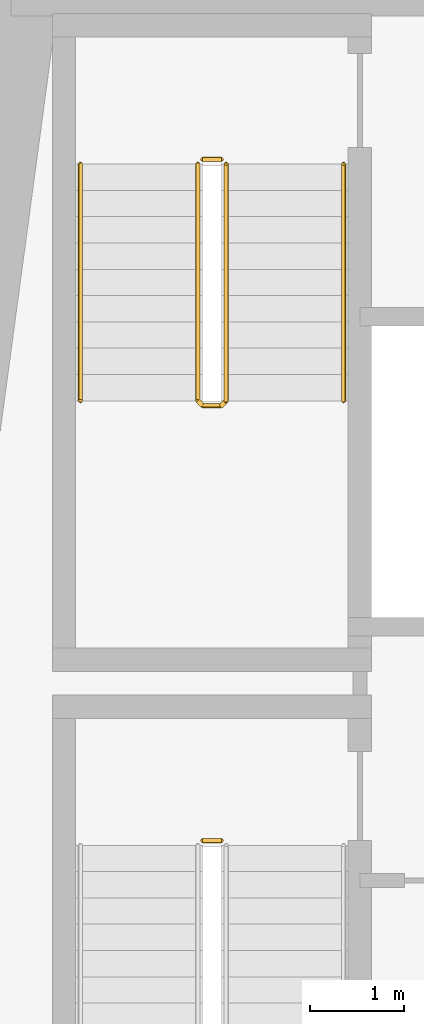
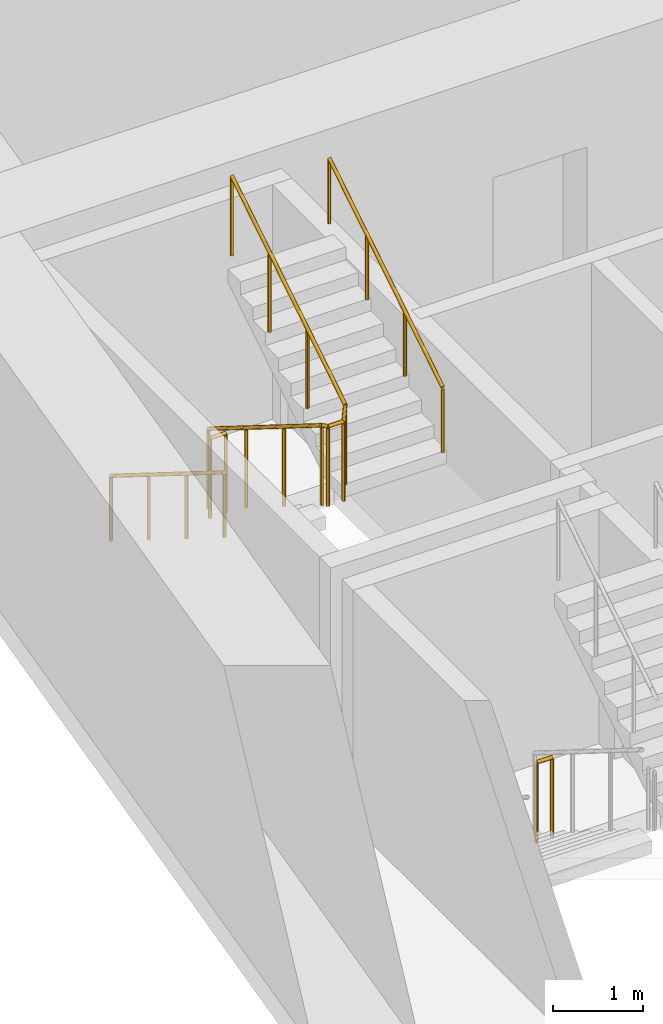
# One storey, part 9 of 12: 5 railings.
"""IFC4 building model written with IfcOpenShell, lengths in metres."""

from ifc_helpers import new_model, si_unit, direction, frame, origin, origin_2d, place, context, subcontext, project, spatial, circle, extrude, material, type_object, element, save


model = new_model("IFC4")

# Units and contexts
model_context = context("Model", 3, precision=1e-05, world=origin(), true_north=direction((0.0, 1.0)))
body_context = subcontext(model_context, "Body", "Model", "MODEL_VIEW")
ifc_project = project(units=[si_unit("LENGTHUNIT", "METRE"), si_unit("AREAUNIT", "SQUARE_METRE"), si_unit("VOLUMEUNIT", "CUBIC_METRE"), si_unit("PLANEANGLEUNIT", "RADIAN"), si_unit("MASSUNIT", "GRAM", prefix="KILO")], contexts=[model_context])

# Site, building, storey
site_placement = place(None, origin())
site = spatial("IfcSite", under=ifc_project, at=site_placement, CompositionType="ELEMENT")
building_placement = place(site_placement, origin())
building = spatial("IfcBuilding", under=site, at=building_placement, Name="Candeia Pilgrim Tower and Theatre", CompositionType="ELEMENT")
storey_placement = place(building_placement, frame((0.0, 0.0, 49.5)))
storey = spatial("IfcBuildingStorey", under=building, at=storey_placement, Name="L09", CompositionType="ELEMENT", Elevation=49.5)

# Railings
ifc_material_1 = material(Name="Stainless steel balustrade", Category="steel")
railing_type_1 = type_object("IfcRailingType", Name="RL-GUARD-1100", PredefinedType="GUARDRAIL", material=ifc_material_1)
railing_1_placement = place(storey_placement, frame((91.152099609375, 122.52490234375, 0.0)))
element("IfcRailing", 1, at=railing_1_placement, inside=storey, type_object=railing_type_1, Name="L09 ST1 stair guard 2", PredefinedType="GUARDRAIL", context=body_context, shape_type="SweptSolid", body=[
    extrude(circle(Radius=0.02392578125, at=origin_2d()), frame((0.0, 0.0, 1.076171875), z_axis=(1.0, 0.0, 0.0), x_axis=(0.0, 1.0, 0.0)), (0.0, 0.0, 1.0), 0.199951171875),
    extrude(circle(Radius=0.02099609375, at=origin_2d()), origin(), (0.0, 0.0, 1.0), 1.052001953125),
    extrude(circle(Radius=0.02099609375, at=origin_2d()), frame((0.199951171875, 0.0, 0.0)), (0.0, 0.0, 1.0), 1.052001953125),
])
railing_2_placement = place(storey_placement, frame((91.10205078125, 129.72509765625, 0.175048828125)))
element("IfcRailing", 2, at=railing_2_placement, inside=storey, type_object=railing_type_1, Name="L09 ST2 stair guard 1", PredefinedType="GUARDRAIL", context=body_context, shape_type="SweptSolid", body=[
    extrude(circle(Radius=0.02392578125, at=origin_2d()), frame((0.0, 0.0, 1.076171875), z_axis=(0.0, -0.848007534815, 0.529984170421), x_axis=(1.0, 0.0, 0.0)), (0.0, 0.0, 1.0), 2.9716796875),
    extrude(circle(Radius=0.02392578125, at=origin_2d()), frame((0.0, -2.52001953125, 2.65087890625), z_axis=(0.707106781187, -0.707106781187, 0.0), x_axis=(0.707106781187, 0.707106781187, 0.0)), (0.0, 0.0, 1.0), 0.07080078125),
    extrude(circle(Radius=0.02392578125, at=origin_2d()), frame((0.050048828125, -2.570068359375, 2.65087890625), z_axis=(1.0, 0.0, 0.0), x_axis=(0.0, 1.0, 0.0)), (0.0, 0.0, 1.0), 0.199951171875),
    extrude(circle(Radius=0.02392578125, at=origin_2d()), frame((0.25, -2.570068359375, 2.65087890625), z_axis=(0.265065253269, 0.265065253269, 0.927081885822), x_axis=(-0.707106781187, 0.707106781187, 0.0)), (0.0, 0.0, 1.0), 0.188720703125),
    extrude(circle(Radius=0.02392578125, at=origin_2d()), frame((0.300048828125, -2.52001953125, 2.826171875), z_axis=(0.0, 0.848007534815, 0.529984170421), x_axis=(-1.0, 0.0, 0.0)), (0.0, 0.0, 1.0), 2.9716796875),
    extrude(circle(Radius=0.02099609375, at=origin_2d()), origin(), (0.0, 0.0, 1.0), 1.052001953125),
    extrude(circle(Radius=0.02099609375, at=origin_2d()), frame((0.0, -0.840087890625, 0.52490234375)), (0.0, 0.0, 1.0), 1.052001953125),
    extrude(circle(Radius=0.02099609375, at=origin_2d()), frame((0.0, -1.679931640625, 1.050048828125)), (0.0, 0.0, 1.0), 1.052001953125),
    extrude(circle(Radius=0.02099609375, at=origin_2d()), frame((0.0, -2.52001953125, 1.574951171875)), (0.0, 0.0, 1.0), 1.052001953125),
    extrude(circle(Radius=0.02099609375, at=origin_2d()), frame((0.050048828125, -2.570068359375, 1.574951171875)), (0.0, 0.0, 1.0), 1.052001953125),
    extrude(circle(Radius=0.02099609375, at=origin_2d()), frame((0.25, -2.570068359375, 1.574951171875)), (0.0, 0.0, 1.0), 1.052001953125),
    extrude(circle(Radius=0.02099609375, at=origin_2d()), frame((0.300048828125, -2.52001953125, 1.75)), (0.0, 0.0, 1.0), 1.052001953125),
    extrude(circle(Radius=0.02099609375, at=origin_2d()), frame((0.300048828125, -1.679931640625, 2.27490234375)), (0.0, 0.0, 1.0), 1.052001953125),
    extrude(circle(Radius=0.02099609375, at=origin_2d()), frame((0.300048828125, -0.840087890625, 2.800048828125)), (0.0, 0.0, 1.0), 1.052001953125),
    extrude(circle(Radius=0.02099609375, at=origin_2d()), frame((0.300048828125, 0.0, 3.324951171875)), (0.0, 0.0, 1.0), 1.052001953125),
])
railing_3_placement = place(storey_placement, frame((91.152099609375, 129.77490234375, 0.0)))
element("IfcRailing", 3, at=railing_3_placement, inside=storey, type_object=railing_type_1, Name="L09 ST2 stair guard 2", PredefinedType="GUARDRAIL", context=body_context, shape_type="SweptSolid", body=[
    extrude(circle(Radius=0.02392578125, at=origin_2d()), frame((0.0, 0.0, 1.076171875), z_axis=(1.0, 0.0, 0.0), x_axis=(0.0, 1.0, 0.0)), (0.0, 0.0, 1.0), 0.199951171875),
    extrude(circle(Radius=0.02099609375, at=origin_2d()), origin(), (0.0, 0.0, 1.0), 1.052001953125),
    extrude(circle(Radius=0.02099609375, at=origin_2d()), frame((0.199951171875, 0.0, 0.0)), (0.0, 0.0, 1.0), 1.052001953125),
])
ifc_material_2 = material(Name="Stainless steel handrail", Category="steel")
railing_type_2 = type_object("IfcRailingType", Name="RL-HANDRAIL-900", PredefinedType="HANDRAIL", material=ifc_material_2)
railing_4_placement = place(storey_placement, frame((89.85205078125, 129.72509765625, 0.175048828125)))
element("IfcRailing", 4, at=railing_4_placement, inside=storey, type_object=railing_type_2, Name="L09 ST2 stair handrail 1", PredefinedType="HANDRAIL", context=body_context, shape_type="SweptSolid", body=[
    extrude(circle(Radius=0.02392578125, at=origin_2d()), frame((0.0, 0.0, 0.8759765625), z_axis=(0.0, -0.848007534815, 0.529984170421), x_axis=(1.0, 0.0, 0.0)), (0.0, 0.0, 1.0), 2.9716796875),
    extrude(circle(Radius=0.02099609375, at=origin_2d()), origin(), (0.0, 0.0, 1.0), 0.851806640625),
    extrude(circle(Radius=0.02099609375, at=origin_2d()), frame((0.0, -0.840087890625, 0.52490234375)), (0.0, 0.0, 1.0), 0.851806640625),
    extrude(circle(Radius=0.02099609375, at=origin_2d()), frame((0.0, -1.679931640625, 1.050048828125)), (0.0, 0.0, 1.0), 0.851806640625),
    extrude(circle(Radius=0.02099609375, at=origin_2d()), frame((0.0, -2.52001953125, 1.574951171875)), (0.0, 0.0, 1.0), 0.851806640625),
])
railing_5_placement = place(storey_placement, frame((92.652099609375, 127.205078125, 1.925048828125)))
element("IfcRailing", 5, at=railing_5_placement, inside=storey, type_object=railing_type_2, Name="L09 ST2 stair handrail 2", PredefinedType="HANDRAIL", context=body_context, shape_type="SweptSolid", body=[
    extrude(circle(Radius=0.02392578125, at=origin_2d()), frame((0.0, 0.0, 0.8759765625), z_axis=(0.0, 0.848007534815, 0.529984170421), x_axis=(-1.0, 0.0, 0.0)), (0.0, 0.0, 1.0), 2.9716796875),
    extrude(circle(Radius=0.02099609375, at=origin_2d()), origin(), (0.0, 0.0, 1.0), 0.851806640625),
    extrude(circle(Radius=0.02099609375, at=origin_2d()), frame((0.0, 0.840087890625, 0.52490234375)), (0.0, 0.0, 1.0), 0.851806640625),
    extrude(circle(Radius=0.02099609375, at=origin_2d()), frame((0.0, 1.679931640625, 1.050048828125)), (0.0, 0.0, 1.0), 0.851806640625),
    extrude(circle(Radius=0.02099609375, at=origin_2d()), frame((0.0, 2.52001953125, 1.574951171875)), (0.0, 0.0, 1.0), 0.851806640625),
])

save(model, "model.ifc")
